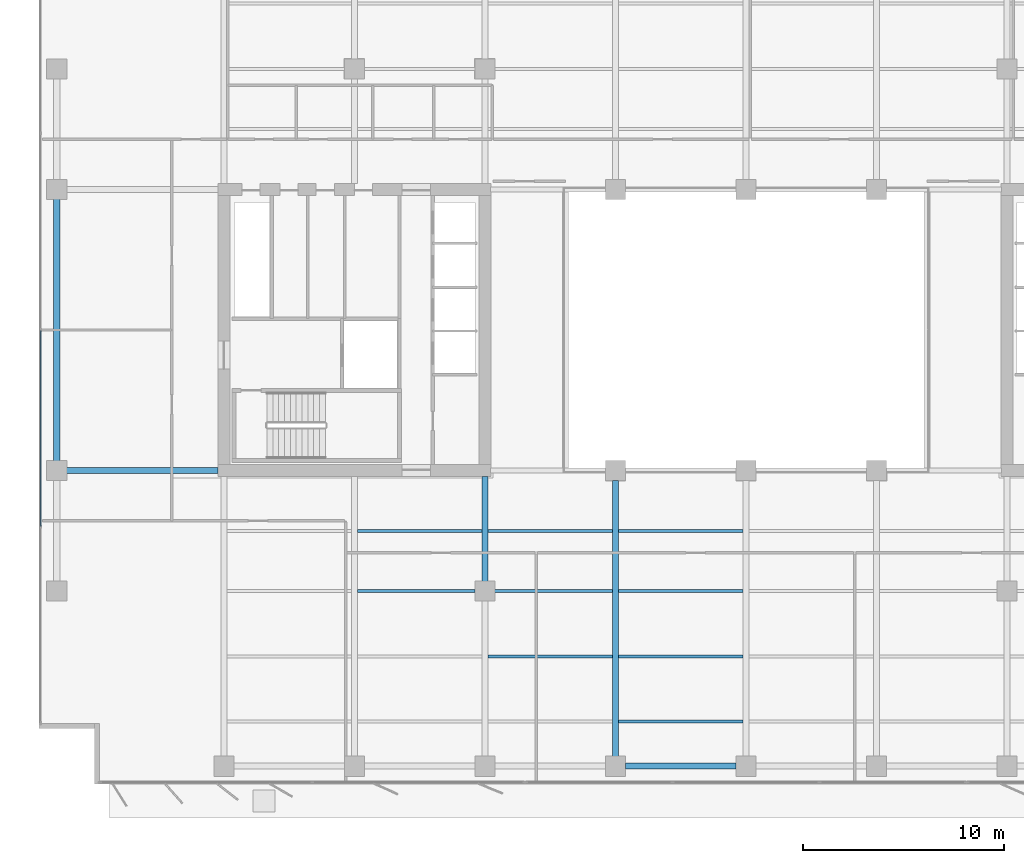
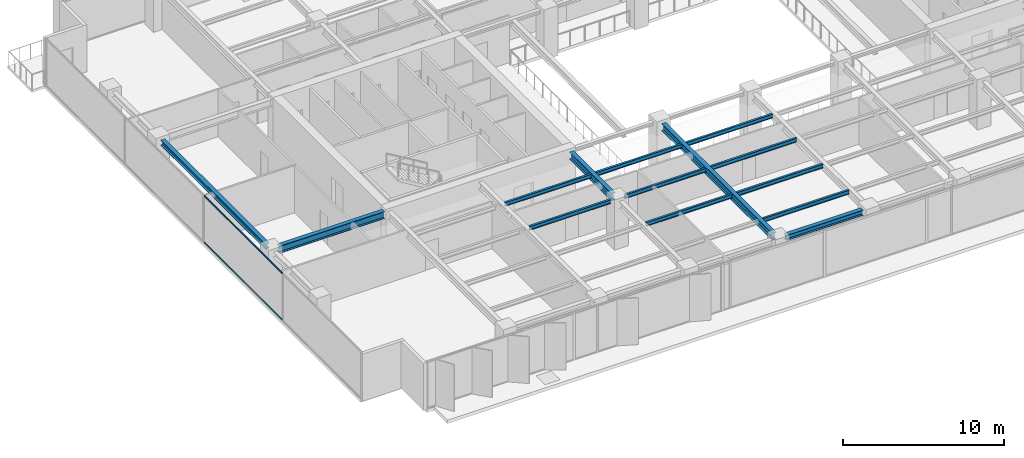
# One storey, part 3 of 22: 14 beams, 2 members, 1 element without a shape of its own.
"""IFC4 building model written with IfcOpenShell, lengths in metres."""

from ifc_helpers import new_model, si_unit, direction, frame, origin, origin_2d, place, context, subcontext, project, spatial, rectangle, i_section, extrude, material, layer, layer_set, material_profile, profile_set, type_object, element, aggregate, save


model = new_model("IFC4")

# Units and contexts
model_context = context("Model", 3, precision=1e-05, world=origin(), true_north=direction((0.0, 1.0)))
body_context = subcontext(model_context, "Body", "Model", "MODEL_VIEW")
ifc_project = project(units=[si_unit("LENGTHUNIT", "METRE"), si_unit("AREAUNIT", "SQUARE_METRE"), si_unit("VOLUMEUNIT", "CUBIC_METRE"), si_unit("PLANEANGLEUNIT", "RADIAN"), si_unit("MASSUNIT", "GRAM", prefix="KILO")], contexts=[model_context])

# Site, building, storey
site_placement = place(None, origin())
site = spatial("IfcSite", under=ifc_project, at=site_placement, CompositionType="ELEMENT")
building_placement = place(site_placement, origin())
building = spatial("IfcBuilding", under=site, at=building_placement, Name="Putna Gate Headquarters", CompositionType="ELEMENT")
storey_placement = place(building_placement, frame((0.0, 0.0, 144.199951171875)))
storey = spatial("IfcBuildingStorey", under=building, at=storey_placement, Name="L35", CompositionType="ELEMENT", Elevation=144.199951171875)

# Beams
ifc_material_1 = material(Name="Steel S355J2", Category="steel")
ifc_material_profile_1 = material_profile(ifc_material_1, i_section(OverallWidth=0.300048828125, OverallDepth=0.550048828125, WebThickness=0.014892578125, FlangeThickness=0.029052734375, at=origin_2d()), Name="Steel S355J2")
ifc_profile_set_1 = profile_set([ifc_material_profile_1], Name="Steel S355J2")
beam_type_1 = type_object("IfcBeamType", Name="BM-GIRD-Z3-HEB550", PredefinedType="USERDEFINED", material=ifc_profile_set_1)
beam_1_placement = place(storey_placement, frame((5.16796875, 19.0, 3.297119140625), z_axis=(1.0, 0.0, 0.0), x_axis=(0.0, 1.0, 0.0)))
element("IfcBeam", 1, at=beam_1_placement, inside=storey, type_object=beam_type_1, Name="L35 West Wing Girder Y19", ObjectType="GIRDER", PredefinedType="USERDEFINED", context=body_context, shape_type="SweptSolid", body=[
    extrude(i_section(OverallWidth=0.300048828125, OverallDepth=0.550048828125, WebThickness=0.014892578125, FlangeThickness=0.029052734375, at=origin_2d()), origin(), (0.0, 0.0, 1.0), 7.547119140625),
])
beam_2_placement = place(storey_placement, frame((26.0, 13.488037109375, 3.297119140625), z_axis=(0.0, 1.0, 0.0), x_axis=(-1.0, 0.0, 0.0)))
element("IfcBeam", 2, at=beam_2_placement, inside=storey, type_object=beam_type_1, Name="L35 South Primary Girder X26-2", ObjectType="GIRDER", PredefinedType="USERDEFINED", context=body_context, shape_type="SweptSolid", body=[
    extrude(i_section(OverallWidth=0.300048828125, OverallDepth=0.550048828125, WebThickness=0.014892578125, FlangeThickness=0.029052734375, at=origin_2d()), origin(), (0.0, 0.0, 1.0), 5.22705078125),
])
beam_3_placement = place(storey_placement, frame((32.5, 4.76806640625, 3.297119140625), z_axis=(0.0, 1.0, 0.0), x_axis=(-1.0, 0.0, 0.0)))
element("IfcBeam", 3, at=beam_3_placement, inside=storey, type_object=beam_type_1, Name="L35 South Primary Girder X32", ObjectType="GIRDER", PredefinedType="USERDEFINED", context=body_context, shape_type="SweptSolid", body=[
    extrude(i_section(OverallWidth=0.300048828125, OverallDepth=0.550048828125, WebThickness=0.014892578125, FlangeThickness=0.029052734375, at=origin_2d()), origin(), (0.0, 0.0, 1.0), 13.743896484375),
])
ifc_material_profile_2 = material_profile(ifc_material_1, i_section(OverallWidth=0.14990234375, OverallDepth=0.300048828125, WebThickness=0.007080078125, FlangeThickness=0.0107421875, at=origin_2d()), Name="Steel S355J2")
ifc_profile_set_2 = profile_set([ifc_material_profile_2], Name="Steel S355J2")
beam_type_2 = type_object("IfcBeamType", Name="BM-SEC-Z3-IPE300", PredefinedType="JOIST", material=ifc_profile_set_2)
beam_4_placement = place(storey_placement, frame((19.654052734375, 13.0, 3.422119140625), z_axis=(1.0, 0.0, 0.0), x_axis=(0.0, 1.0, 0.0)))
element("IfcBeam", 4, at=beam_4_placement, inside=storey, type_object=beam_type_2, Name="L35 South Secondary Beam 2", PredefinedType="JOIST", context=body_context, shape_type="SweptSolid", body=[
    extrude(i_section(OverallWidth=0.14990234375, OverallDepth=0.300048828125, WebThickness=0.007080078125, FlangeThickness=0.0107421875, at=origin_2d()), origin(), (0.0, 0.0, 1.0), 5.85791015625),
])
for number, where, z_axis, x_axis, name in (
    (5, (19.654052734375, 16.0, 3.422119140625), (1.0, 0.0, 0.0), (0.0, 1.0, 0.0), "L35 South Secondary Beam 2"),
    (6, (26.154052734375, 9.75, 3.422119140625), (1.0, 0.0, 0.0), (0.0, 1.0, 0.0), "L35 South Secondary Beam 3"),
):
    element("IfcBeam", number, at=place(storey_placement, frame(where, z_axis=z_axis, x_axis=x_axis)), inside=storey, type_object=beam_type_2, Name=name, PredefinedType="JOIST", context=body_context, shape_type="SweptSolid", body=[
        extrude(i_section(OverallWidth=0.14990234375, OverallDepth=0.300048828125, WebThickness=0.007080078125, FlangeThickness=0.0107421875, at=origin_2d()), origin(), (0.0, 0.0, 1.0), 6.19189453125),
    ])
beam_5_placement = place(storey_placement, frame((26.488037109375, 13.0, 3.422119140625), z_axis=(1.0, 0.0, 0.0), x_axis=(0.0, 1.0, 0.0)))
element("IfcBeam", 7, at=beam_5_placement, inside=storey, type_object=beam_type_2, Name="L35 South Secondary Beam 3", PredefinedType="JOIST", context=body_context, shape_type="SweptSolid", body=[
    extrude(i_section(OverallWidth=0.14990234375, OverallDepth=0.300048828125, WebThickness=0.007080078125, FlangeThickness=0.0107421875, at=origin_2d()), origin(), (0.0, 0.0, 1.0), 5.85791015625),
])
for number, where, z_axis, x_axis, name in (
    (8, (26.154052734375, 16.0, 3.422119140625), (1.0, 0.0, 0.0), (0.0, 1.0, 0.0), "L35 South Secondary Beam 3"),
    (9, (32.654052734375, 6.5, 3.422119140625), (1.0, 0.0, 0.0), (0.0, 1.0, 0.0), "L35 South Secondary Beam 4"),
    (10, (32.654052734375, 9.75, 3.422119140625), (1.0, 0.0, 0.0), (0.0, 1.0, 0.0), "L35 South Secondary Beam 4"),
    (11, (32.654052734375, 13.0, 3.422119140625), (1.0, 0.0, 0.0), (0.0, 1.0, 0.0), "L35 South Secondary Beam 4"),
    (12, (32.654052734375, 16.0, 3.422119140625), (1.0, 0.0, 0.0), (0.0, 1.0, 0.0), "L35 South Secondary Beam 4"),
):
    element("IfcBeam", number, at=place(storey_placement, frame(where, z_axis=z_axis, x_axis=x_axis)), inside=storey, type_object=beam_type_2, Name=name, PredefinedType="JOIST", context=body_context, shape_type="SweptSolid", body=[
        extrude(i_section(OverallWidth=0.14990234375, OverallDepth=0.300048828125, WebThickness=0.007080078125, FlangeThickness=0.0107421875, at=origin_2d()), origin(), (0.0, 0.0, 1.0), 6.19189453125),
    ])
ifc_material_profile_3 = material_profile(ifc_material_1, i_section(OverallWidth=0.300048828125, OverallDepth=0.39990234375, WebThickness=0.013427734375, FlangeThickness=0.02392578125, at=origin_2d()), Name="Steel S355J2")
ifc_profile_set_3 = profile_set([ifc_material_profile_3], Name="Steel S355J2")
beam_type_3 = type_object("IfcBeamType", Name="BM-SPAN-Z3-HEB400", PredefinedType="SPANDREL", material=ifc_profile_set_3)
beam_6_placement = place(storey_placement, frame((32.988037109375, 4.280029296875, 3.3720703125), z_axis=(1.0, 0.0, 0.0), x_axis=(0.0, 1.0, 0.0)))
element("IfcBeam", 13, at=beam_6_placement, inside=storey, type_object=beam_type_3, Name="L35 S Perimeter Spandrel 4", PredefinedType="SPANDREL", context=body_context, shape_type="SweptSolid", body=[
    extrude(i_section(OverallWidth=0.300048828125, OverallDepth=0.39990234375, WebThickness=0.013427734375, FlangeThickness=0.02392578125, at=origin_2d()), origin(), (0.0, 0.0, 1.0), 5.52392578125),
])
beam_7_placement = place(storey_placement, frame((4.679931640625, 19.488037109375, 3.3720703125), z_axis=(0.0, 1.0, 0.0), x_axis=(-1.0, 0.0, 0.0)))
element("IfcBeam", 14, at=beam_7_placement, inside=storey, type_object=beam_type_3, Name="L35 W End Spandrel 2", PredefinedType="SPANDREL", context=body_context, shape_type="SweptSolid", body=[
    extrude(i_section(OverallWidth=0.300048828125, OverallDepth=0.39990234375, WebThickness=0.013427734375, FlangeThickness=0.02392578125, at=origin_2d()), origin(), (0.0, 0.0, 1.0), 13.02392578125),
])

# Curtain wall, members
ifc_material_2 = material(Name="Anodised bronze aluminium curtain wall", Category="aluminium")
ifc_layer = layer(ifc_material_2, 0.159912109375)
ifc_layer_set = layer_set([ifc_layer], Name="Anodised bronze aluminium curtain wall")
curtain_wall_type = type_object("IfcCurtainWallType", Name="CW-SYS-Z3", PredefinedType="USERDEFINED", material=ifc_layer_set)
curtain_wall_placement = place(storey_placement, origin())
curtain_wall = element("IfcCurtainWall", 15, at=curtain_wall_placement, inside=storey, type_object=curtain_wall_type, Name="L35 West Curtain Wall", ObjectType="STICK CURTAIN WALL", PredefinedType="USERDEFINED")
ifc_material_3 = material(Name="Anodised bronze aluminium EN AW-6060", Category="aluminium")
ifc_material_profile_4 = material_profile(ifc_material_3, rectangle(XDim=0.06005859375, YDim=0.10009765625, at=origin_2d()), Name="Anodised bronze aluminium EN AW-6060")
ifc_profile_set_4 = profile_set([ifc_material_profile_4], Name="Anodised bronze aluminium EN AW-6060")
member_type = type_object("IfcMemberType", Name="TRAN-CWT-3", PredefinedType="USERDEFINED", material=ifc_profile_set_4)
member_1_placement = place(storey_placement, frame((3.8798828125, 16.232421875, 0.030029296875), z_axis=(0.0, 1.0, 0.0), x_axis=(-1.0, 0.0, 0.0)))
member_1 = element("IfcMember", 16, at=member_1_placement, type_object=member_type, Name="CWS-3 transom 2.1", ObjectType="TRANSOM", PredefinedType="USERDEFINED", context=body_context, shape_type="SweptSolid", body=[
    extrude(rectangle(XDim=0.06005859375, YDim=0.10009765625, at=origin_2d()), origin(), (0.0, 0.0, 1.0), 9.735107421875),
])
member_2_placement = place(storey_placement, frame((3.8798828125, 16.232421875, 3.5419921875), z_axis=(0.0, 1.0, 0.0), x_axis=(-1.0, 0.0, 0.0)))
member_2 = element("IfcMember", 17, at=member_2_placement, type_object=member_type, Name="CWS-3 transom 2.2", ObjectType="TRANSOM", PredefinedType="USERDEFINED", context=body_context, shape_type="SweptSolid", body=[
    extrude(rectangle(XDim=0.06005859375, YDim=0.10009765625, at=origin_2d()), origin(), (0.0, 0.0, 1.0), 9.735107421875),
])
aggregate(curtain_wall, [member_1, member_2])

save(model, "model.ifc")
